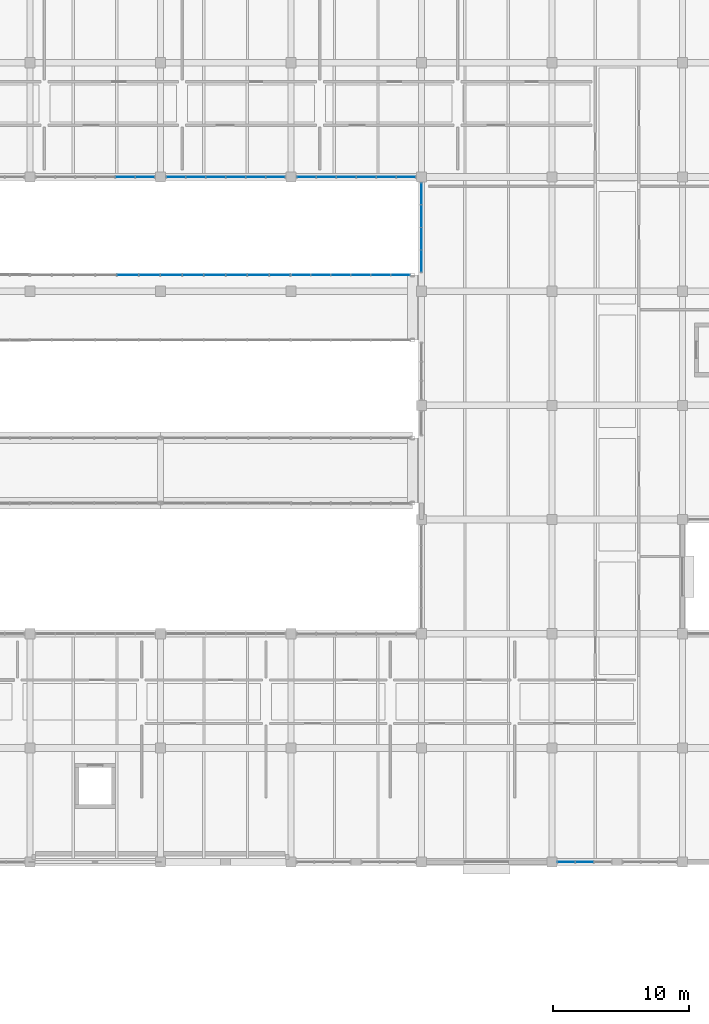
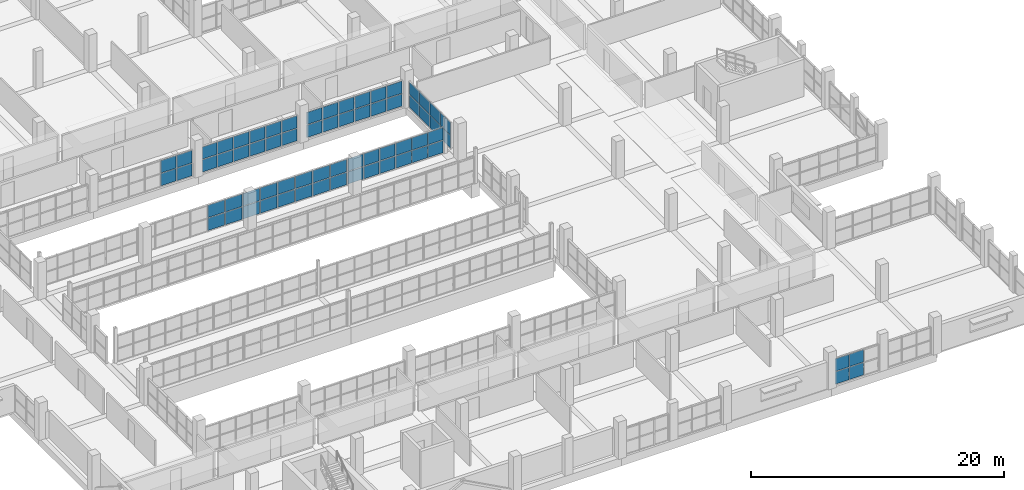
# One storey, part 103 of 147: 68 plates, 7 elements without a shape of their own.
"""IFC4 building model written with IfcOpenShell, lengths in metres."""

from ifc_helpers import new_model, si_unit, direction, frame, origin, origin_2d, place, context, subcontext, project, spatial, rectangle, extrude, material, layer, layer_set, type_object, element, aggregate, save


model = new_model("IFC4")

# Units and contexts
model_context = context("Model", 3, precision=1e-05, world=origin(), true_north=direction((0.0, 1.0)))
body_context = subcontext(model_context, "Body", "Model", "MODEL_VIEW")
ifc_project = project(units=[si_unit("LENGTHUNIT", "METRE"), si_unit("AREAUNIT", "SQUARE_METRE"), si_unit("VOLUMEUNIT", "CUBIC_METRE"), si_unit("PLANEANGLEUNIT", "RADIAN"), si_unit("MASSUNIT", "GRAM", prefix="KILO")], contexts=[model_context])

# Site, building, storey
site_placement = place(None, origin())
site = spatial("IfcSite", under=ifc_project, at=site_placement, CompositionType="ELEMENT")
building_placement = place(site_placement, origin())
building = spatial("IfcBuilding", under=site, at=building_placement, Name="Oolite Switchyard Hospital", CompositionType="ELEMENT")
storey_placement = place(building_placement, frame((0.0, 0.0, 9.89990234375)))
storey = spatial("IfcBuildingStorey", under=building, at=storey_placement, Name="L02", CompositionType="ELEMENT", Elevation=9.89990234375)

# Curtain wall, plates
ifc_material_1 = material(Name="Thermally broken aluminum frame with laminated impact glazing", Category="aluminium")
curtain_wall_type_1 = type_object("IfcCurtainWallType", Name="CW-UNIT-96X36", PredefinedType="USERDEFINED", material=ifc_material_1)
curtain_wall_1_placement = place(storey_placement, origin())
curtain_wall_1 = element("IfcCurtainWall", 1, at=curtain_wall_1_placement, inside=storey, type_object=curtain_wall_type_1, Name="L02 Unitised Curtain Wall 245", ObjectType="UNITISED", PredefinedType="USERDEFINED")
ifc_material_2 = material(Name="Insulated fluoropolymer-coated aluminum spandrel panel", Category="aluminium")
ifc_layer_1 = layer(ifc_material_2, 0.054931640625)
ifc_layer_set_1 = layer_set([ifc_layer_1], Name="CW-PNL-SPN55")
plate_type_1 = type_object("IfcPlateType", Name="CW-PNL-SPN55", PredefinedType="CURTAIN_PANEL", material=ifc_layer_set_1)
plate_1_placement = place(storey_placement, frame((181.257568359375, 58.800048828125, 0.0751953125), z_axis=(0.0, 0.0, 1.0), x_axis=(-1.0, 0.0, 0.0)))
plate_1 = element("IfcPlate", 2, at=plate_1_placement, type_object=plate_type_1, Name="CW-03 panel 1.1", PredefinedType="CURTAIN_PANEL", context=body_context, shape_type="SweptSolid", body=[
    extrude(rectangle(XDim=1.364990234375, YDim=0.054931640625, at=origin_2d()), origin(), (0.0, 0.0, 1.0), 1.172607421875),
])
plate_2_placement = place(storey_placement, frame((181.257568359375, 58.800048828125, 1.32275390625), z_axis=(0.0, 0.0, 1.0), x_axis=(-1.0, 0.0, 0.0)))
plate_2 = element("IfcPlate", 3, at=plate_2_placement, type_object=plate_type_1, Name="CW-03 panel 1.2", PredefinedType="CURTAIN_PANEL", context=body_context, shape_type="SweptSolid", body=[
    extrude(rectangle(XDim=1.364990234375, YDim=0.054931640625, at=origin_2d()), origin(), (0.0, 0.0, 1.0), 1.172607421875),
])
plate_3_placement = place(storey_placement, frame((179.804931640625, 58.800048828125, 0.0751953125), z_axis=(0.0, 0.0, 1.0), x_axis=(-1.0, 0.0, 0.0)))
plate_3 = element("IfcPlate", 4, at=plate_3_placement, type_object=plate_type_1, Name="CW-03 panel 2.1", PredefinedType="CURTAIN_PANEL", context=body_context, shape_type="SweptSolid", body=[
    extrude(rectangle(XDim=1.39990234375, YDim=0.054931640625, at=origin_2d()), origin(), (0.0, 0.0, 1.0), 1.172607421875),
])
plate_4_placement = place(storey_placement, frame((179.804931640625, 58.800048828125, 1.32275390625), z_axis=(0.0, 0.0, 1.0), x_axis=(-1.0, 0.0, 0.0)))
plate_4 = element("IfcPlate", 5, at=plate_4_placement, type_object=plate_type_1, Name="CW-03 panel 2.2", PredefinedType="CURTAIN_PANEL", context=body_context, shape_type="SweptSolid", body=[
    extrude(rectangle(XDim=1.39990234375, YDim=0.054931640625, at=origin_2d()), origin(), (0.0, 0.0, 1.0), 1.172607421875),
])
plate_5_placement = place(storey_placement, frame((178.3349609375, 58.800048828125, 0.0751953125), z_axis=(0.0, 0.0, 1.0), x_axis=(-1.0, 0.0, 0.0)))
plate_5 = element("IfcPlate", 6, at=plate_5_placement, type_object=plate_type_1, Name="CW-03 panel 3.1", PredefinedType="CURTAIN_PANEL", context=body_context, shape_type="SweptSolid", body=[
    extrude(rectangle(XDim=1.39990234375, YDim=0.054931640625, at=origin_2d()), origin(), (0.0, 0.0, 1.0), 1.172607421875),
])
plate_6_placement = place(storey_placement, frame((178.3349609375, 58.800048828125, 1.32275390625), z_axis=(0.0, 0.0, 1.0), x_axis=(-1.0, 0.0, 0.0)))
plate_6 = element("IfcPlate", 7, at=plate_6_placement, type_object=plate_type_1, Name="CW-03 panel 3.2", PredefinedType="CURTAIN_PANEL", context=body_context, shape_type="SweptSolid", body=[
    extrude(rectangle(XDim=1.39990234375, YDim=0.054931640625, at=origin_2d()), origin(), (0.0, 0.0, 1.0), 1.172607421875),
])
plate_7_placement = place(storey_placement, frame((176.864990234375, 58.800048828125, 0.0751953125), z_axis=(0.0, 0.0, 1.0), x_axis=(-1.0, 0.0, 0.0)))
plate_7 = element("IfcPlate", 8, at=plate_7_placement, type_object=plate_type_1, Name="CW-03 panel 4.1", PredefinedType="CURTAIN_PANEL", context=body_context, shape_type="SweptSolid", body=[
    extrude(rectangle(XDim=1.39990234375, YDim=0.054931640625, at=origin_2d()), origin(), (0.0, 0.0, 1.0), 1.172607421875),
])
plate_8_placement = place(storey_placement, frame((176.864990234375, 58.800048828125, 1.32275390625), z_axis=(0.0, 0.0, 1.0), x_axis=(-1.0, 0.0, 0.0)))
plate_8 = element("IfcPlate", 9, at=plate_8_placement, type_object=plate_type_1, Name="CW-03 panel 4.2", PredefinedType="CURTAIN_PANEL", context=body_context, shape_type="SweptSolid", body=[
    extrude(rectangle(XDim=1.39990234375, YDim=0.054931640625, at=origin_2d()), origin(), (0.0, 0.0, 1.0), 1.172607421875),
])
plate_9_placement = place(storey_placement, frame((175.39501953125, 58.800048828125, 0.0751953125), z_axis=(0.0, 0.0, 1.0), x_axis=(-1.0, 0.0, 0.0)))
plate_9 = element("IfcPlate", 10, at=plate_9_placement, type_object=plate_type_1, Name="CW-03 panel 5.1", PredefinedType="CURTAIN_PANEL", context=body_context, shape_type="SweptSolid", body=[
    extrude(rectangle(XDim=1.39990234375, YDim=0.054931640625, at=origin_2d()), origin(), (0.0, 0.0, 1.0), 1.172607421875),
])
plate_10_placement = place(storey_placement, frame((175.39501953125, 58.800048828125, 1.32275390625), z_axis=(0.0, 0.0, 1.0), x_axis=(-1.0, 0.0, 0.0)))
plate_10 = element("IfcPlate", 11, at=plate_10_placement, type_object=plate_type_1, Name="CW-03 panel 5.2", PredefinedType="CURTAIN_PANEL", context=body_context, shape_type="SweptSolid", body=[
    extrude(rectangle(XDim=1.39990234375, YDim=0.054931640625, at=origin_2d()), origin(), (0.0, 0.0, 1.0), 1.172607421875),
])
plate_11_placement = place(storey_placement, frame((173.9423828125, 58.800048828125, 0.0751953125), z_axis=(0.0, 0.0, 1.0), x_axis=(-1.0, 0.0, 0.0)))
plate_11 = element("IfcPlate", 12, at=plate_11_placement, type_object=plate_type_1, Name="CW-03 panel 6.1", PredefinedType="CURTAIN_PANEL", context=body_context, shape_type="SweptSolid", body=[
    extrude(rectangle(XDim=1.364990234375, YDim=0.054931640625, at=origin_2d()), origin(), (0.0, 0.0, 1.0), 1.172607421875),
])
plate_12_placement = place(storey_placement, frame((173.9423828125, 58.800048828125, 1.32275390625), z_axis=(0.0, 0.0, 1.0), x_axis=(-1.0, 0.0, 0.0)))
plate_12 = element("IfcPlate", 13, at=plate_12_placement, type_object=plate_type_1, Name="CW-03 panel 6.2", PredefinedType="CURTAIN_PANEL", context=body_context, shape_type="SweptSolid", body=[
    extrude(rectangle(XDim=1.364990234375, YDim=0.054931640625, at=origin_2d()), origin(), (0.0, 0.0, 1.0), 1.172607421875),
])
aggregate(curtain_wall_1, [plate_1, plate_2, plate_3, plate_4, plate_5, plate_6, plate_7, plate_8, plate_9, plate_10, plate_11, plate_12])

curtain_wall_type_2 = type_object("IfcCurtainWallType", Name="CW-BRG-96X38", PredefinedType="USERDEFINED", material=ifc_material_1)
curtain_wall_2_placement = place(storey_placement, origin())
curtain_wall_2 = element("IfcCurtainWall", 14, at=curtain_wall_2_placement, inside=storey, type_object=curtain_wall_type_2, Name="L02 Unitised Curtain Wall 240", ObjectType="UNITISED", PredefinedType="USERDEFINED")
ifc_material_3 = material(Name="Laminated hurricane-impact insulated glazing unit", Category="glass")
ifc_layer_2 = layer(ifc_material_3, 0.031982421875)
ifc_layer_set_2 = layer_set([ifc_layer_2], Name="CW-PNL-VIS32")
plate_type_2 = type_object("IfcPlateType", Name="CW-PNL-VIS32", PredefinedType="CURTAIN_PANEL", material=ifc_layer_set_2)
plate_13_placement = place(storey_placement, frame((160.800048828125, 51.60009765625, 0.06005859375), z_axis=(0.0, 0.0, 1.0), x_axis=(1.0, 0.0, 0.0)))
plate_13 = element("IfcPlate", 15, at=plate_13_placement, type_object=plate_type_2, Name="CW-12 panel 5.1", PredefinedType="CURTAIN_PANEL", context=body_context, shape_type="SweptSolid", body=[
    extrude(rectangle(XDim=1.52490234375, YDim=0.031982421875, at=origin_2d()), origin(), (0.0, 0.0, 1.0), 1.195068359375),
])
plate_14_placement = place(storey_placement, frame((160.800048828125, 51.60009765625, 1.31494140625), z_axis=(0.0, 0.0, 1.0), x_axis=(1.0, 0.0, 0.0)))
plate_14 = element("IfcPlate", 16, at=plate_14_placement, type_object=plate_type_2, Name="CW-12 panel 5.2", PredefinedType="CURTAIN_PANEL", context=body_context, shape_type="SweptSolid", body=[
    extrude(rectangle(XDim=1.52490234375, YDim=0.031982421875, at=origin_2d()), origin(), (0.0, 0.0, 1.0), 1.195068359375),
])
plate_15_placement = place(storey_placement, frame((162.39990234375, 51.60009765625, 0.06005859375), z_axis=(0.0, 0.0, 1.0), x_axis=(1.0, 0.0, 0.0)))
plate_15 = element("IfcPlate", 17, at=plate_15_placement, type_object=plate_type_2, Name="CW-12 panel 6.1", PredefinedType="CURTAIN_PANEL", context=body_context, shape_type="SweptSolid", body=[
    extrude(rectangle(XDim=1.52490234375, YDim=0.031982421875, at=origin_2d()), origin(), (0.0, 0.0, 1.0), 1.195068359375),
])
plate_16_placement = place(storey_placement, frame((162.39990234375, 51.60009765625, 1.31494140625), z_axis=(0.0, 0.0, 1.0), x_axis=(1.0, 0.0, 0.0)))
plate_16 = element("IfcPlate", 18, at=plate_16_placement, type_object=plate_type_2, Name="CW-12 panel 6.2", PredefinedType="CURTAIN_PANEL", context=body_context, shape_type="SweptSolid", body=[
    extrude(rectangle(XDim=1.52490234375, YDim=0.031982421875, at=origin_2d()), origin(), (0.0, 0.0, 1.0), 1.195068359375),
])
plate_17_placement = place(storey_placement, frame((164.0, 51.60009765625, 0.06005859375), z_axis=(0.0, 0.0, 1.0), x_axis=(1.0, 0.0, 0.0)))
plate_17 = element("IfcPlate", 19, at=plate_17_placement, type_object=plate_type_2, Name="CW-12 panel 7.1", PredefinedType="CURTAIN_PANEL", context=body_context, shape_type="SweptSolid", body=[
    extrude(rectangle(XDim=1.52490234375, YDim=0.031982421875, at=origin_2d()), origin(), (0.0, 0.0, 1.0), 1.195068359375),
])
plate_18_placement = place(storey_placement, frame((164.0, 51.60009765625, 1.31494140625), z_axis=(0.0, 0.0, 1.0), x_axis=(1.0, 0.0, 0.0)))
plate_18 = element("IfcPlate", 20, at=plate_18_placement, type_object=plate_type_2, Name="CW-12 panel 7.2", PredefinedType="CURTAIN_PANEL", context=body_context, shape_type="SweptSolid", body=[
    extrude(rectangle(XDim=1.52490234375, YDim=0.031982421875, at=origin_2d()), origin(), (0.0, 0.0, 1.0), 1.195068359375),
])
plate_19_placement = place(storey_placement, frame((165.60009765625, 51.60009765625, 0.06005859375), z_axis=(0.0, 0.0, 1.0), x_axis=(1.0, 0.0, 0.0)))
plate_19 = element("IfcPlate", 21, at=plate_19_placement, type_object=plate_type_2, Name="CW-12 panel 8.1", PredefinedType="CURTAIN_PANEL", context=body_context, shape_type="SweptSolid", body=[
    extrude(rectangle(XDim=1.52490234375, YDim=0.031982421875, at=origin_2d()), origin(), (0.0, 0.0, 1.0), 1.195068359375),
])
plate_20_placement = place(storey_placement, frame((165.60009765625, 51.60009765625, 1.31494140625), z_axis=(0.0, 0.0, 1.0), x_axis=(1.0, 0.0, 0.0)))
plate_20 = element("IfcPlate", 22, at=plate_20_placement, type_object=plate_type_2, Name="CW-12 panel 8.2", PredefinedType="CURTAIN_PANEL", context=body_context, shape_type="SweptSolid", body=[
    extrude(rectangle(XDim=1.52490234375, YDim=0.031982421875, at=origin_2d()), origin(), (0.0, 0.0, 1.0), 1.195068359375),
])
plate_21_placement = place(storey_placement, frame((167.199951171875, 51.60009765625, 0.06005859375), z_axis=(0.0, 0.0, 1.0), x_axis=(1.0, 0.0, 0.0)))
plate_21 = element("IfcPlate", 23, at=plate_21_placement, type_object=plate_type_2, Name="CW-12 panel 9.1", PredefinedType="CURTAIN_PANEL", context=body_context, shape_type="SweptSolid", body=[
    extrude(rectangle(XDim=1.52490234375, YDim=0.031982421875, at=origin_2d()), origin(), (0.0, 0.0, 1.0), 1.195068359375),
])
plate_22_placement = place(storey_placement, frame((167.199951171875, 51.60009765625, 1.31494140625), z_axis=(0.0, 0.0, 1.0), x_axis=(1.0, 0.0, 0.0)))
plate_22 = element("IfcPlate", 24, at=plate_22_placement, type_object=plate_type_2, Name="CW-12 panel 9.2", PredefinedType="CURTAIN_PANEL", context=body_context, shape_type="SweptSolid", body=[
    extrude(rectangle(XDim=1.52490234375, YDim=0.031982421875, at=origin_2d()), origin(), (0.0, 0.0, 1.0), 1.195068359375),
])
plate_23_placement = place(storey_placement, frame((168.800048828125, 51.60009765625, 0.06005859375), z_axis=(0.0, 0.0, 1.0), x_axis=(1.0, 0.0, 0.0)))
plate_23 = element("IfcPlate", 25, at=plate_23_placement, type_object=plate_type_2, Name="CW-12 panel 10.1", PredefinedType="CURTAIN_PANEL", context=body_context, shape_type="SweptSolid", body=[
    extrude(rectangle(XDim=1.52490234375, YDim=0.031982421875, at=origin_2d()), origin(), (0.0, 0.0, 1.0), 1.195068359375),
])
plate_24_placement = place(storey_placement, frame((168.800048828125, 51.60009765625, 1.31494140625), z_axis=(0.0, 0.0, 1.0), x_axis=(1.0, 0.0, 0.0)))
plate_24 = element("IfcPlate", 26, at=plate_24_placement, type_object=plate_type_2, Name="CW-12 panel 10.2", PredefinedType="CURTAIN_PANEL", context=body_context, shape_type="SweptSolid", body=[
    extrude(rectangle(XDim=1.52490234375, YDim=0.031982421875, at=origin_2d()), origin(), (0.0, 0.0, 1.0), 1.195068359375),
])
plate_25_placement = place(storey_placement, frame((170.39990234375, 51.60009765625, 0.06005859375), z_axis=(0.0, 0.0, 1.0), x_axis=(1.0, 0.0, 0.0)))
plate_25 = element("IfcPlate", 27, at=plate_25_placement, type_object=plate_type_2, Name="CW-12 panel 11.1", PredefinedType="CURTAIN_PANEL", context=body_context, shape_type="SweptSolid", body=[
    extrude(rectangle(XDim=1.52490234375, YDim=0.031982421875, at=origin_2d()), origin(), (0.0, 0.0, 1.0), 1.195068359375),
])
plate_26_placement = place(storey_placement, frame((170.39990234375, 51.60009765625, 1.31494140625), z_axis=(0.0, 0.0, 1.0), x_axis=(1.0, 0.0, 0.0)))
plate_26 = element("IfcPlate", 28, at=plate_26_placement, type_object=plate_type_2, Name="CW-12 panel 11.2", PredefinedType="CURTAIN_PANEL", context=body_context, shape_type="SweptSolid", body=[
    extrude(rectangle(XDim=1.52490234375, YDim=0.031982421875, at=origin_2d()), origin(), (0.0, 0.0, 1.0), 1.195068359375),
])
plate_27_placement = place(storey_placement, frame((171.981201171875, 51.60009765625, 0.06005859375), z_axis=(0.0, 0.0, 1.0), x_axis=(1.0, 0.0, 0.0)))
plate_27 = element("IfcPlate", 29, at=plate_27_placement, type_object=plate_type_2, Name="CW-12 panel 12.1", PredefinedType="CURTAIN_PANEL", context=body_context, shape_type="SweptSolid", body=[
    extrude(rectangle(XDim=1.487548828125, YDim=0.031982421875, at=origin_2d()), origin(), (0.0, 0.0, 1.0), 1.195068359375),
])
plate_28_placement = place(storey_placement, frame((171.981201171875, 51.60009765625, 1.31494140625), z_axis=(0.0, 0.0, 1.0), x_axis=(1.0, 0.0, 0.0)))
plate_28 = element("IfcPlate", 30, at=plate_28_placement, type_object=plate_type_2, Name="CW-12 panel 12.2", PredefinedType="CURTAIN_PANEL", context=body_context, shape_type="SweptSolid", body=[
    extrude(rectangle(XDim=1.487548828125, YDim=0.031982421875, at=origin_2d()), origin(), (0.0, 0.0, 1.0), 1.195068359375),
])
aggregate(curtain_wall_2, [plate_13, plate_14, plate_15, plate_16, plate_17, plate_18, plate_19, plate_20, plate_21, plate_22, plate_23, plate_24, plate_25, plate_26, plate_27, plate_28])

curtain_wall_3_placement = place(storey_placement, origin())
curtain_wall_3 = element("IfcCurtainWall", 31, at=curtain_wall_3_placement, inside=storey, type_object=curtain_wall_type_1, Name="L02 Unitised Curtain Wall 243", ObjectType="UNITISED", PredefinedType="USERDEFINED")
plate_29_placement = place(storey_placement, frame((171.65625, 58.800048828125, 0.0751953125), z_axis=(0.0, 0.0, 1.0), x_axis=(-1.0, 0.0, 0.0)))
plate_29 = element("IfcPlate", 32, at=plate_29_placement, type_object=plate_type_2, Name="CW-03 panel 1.1", PredefinedType="CURTAIN_PANEL", context=body_context, shape_type="SweptSolid", body=[
    extrude(rectangle(XDim=1.357421875, YDim=0.031982421875, at=origin_2d()), origin(), (0.0, 0.0, 1.0), 1.172607421875),
])
plate_30_placement = place(storey_placement, frame((171.65625, 58.800048828125, 1.32275390625), z_axis=(0.0, 0.0, 1.0), x_axis=(-1.0, 0.0, 0.0)))
plate_30 = element("IfcPlate", 33, at=plate_30_placement, type_object=plate_type_2, Name="CW-03 panel 1.2", PredefinedType="CURTAIN_PANEL", context=body_context, shape_type="SweptSolid", body=[
    extrude(rectangle(XDim=1.357421875, YDim=0.031982421875, at=origin_2d()), origin(), (0.0, 0.0, 1.0), 1.172607421875),
])
plate_31_placement = place(storey_placement, frame((170.205078125, 58.800048828125, 0.0751953125), z_axis=(0.0, 0.0, 1.0), x_axis=(-1.0, 0.0, 0.0)))
plate_31 = element("IfcPlate", 34, at=plate_31_placement, type_object=plate_type_2, Name="CW-03 panel 2.1", PredefinedType="CURTAIN_PANEL", context=body_context, shape_type="SweptSolid", body=[
    extrude(rectangle(XDim=1.39501953125, YDim=0.031982421875, at=origin_2d()), origin(), (0.0, 0.0, 1.0), 1.172607421875),
])
plate_32_placement = place(storey_placement, frame((170.205078125, 58.800048828125, 1.32275390625), z_axis=(0.0, 0.0, 1.0), x_axis=(-1.0, 0.0, 0.0)))
plate_32 = element("IfcPlate", 35, at=plate_32_placement, type_object=plate_type_2, Name="CW-03 panel 2.2", PredefinedType="CURTAIN_PANEL", context=body_context, shape_type="SweptSolid", body=[
    extrude(rectangle(XDim=1.39501953125, YDim=0.031982421875, at=origin_2d()), origin(), (0.0, 0.0, 1.0), 1.172607421875),
])
plate_33_placement = place(storey_placement, frame((168.735107421875, 58.800048828125, 0.0751953125), z_axis=(0.0, 0.0, 1.0), x_axis=(-1.0, 0.0, 0.0)))
plate_33 = element("IfcPlate", 36, at=plate_33_placement, type_object=plate_type_2, Name="CW-03 panel 3.1", PredefinedType="CURTAIN_PANEL", context=body_context, shape_type="SweptSolid", body=[
    extrude(rectangle(XDim=1.39501953125, YDim=0.031982421875, at=origin_2d()), origin(), (0.0, 0.0, 1.0), 1.172607421875),
])
plate_34_placement = place(storey_placement, frame((168.735107421875, 58.800048828125, 1.32275390625), z_axis=(0.0, 0.0, 1.0), x_axis=(-1.0, 0.0, 0.0)))
plate_34 = element("IfcPlate", 37, at=plate_34_placement, type_object=plate_type_2, Name="CW-03 panel 3.2", PredefinedType="CURTAIN_PANEL", context=body_context, shape_type="SweptSolid", body=[
    extrude(rectangle(XDim=1.39501953125, YDim=0.031982421875, at=origin_2d()), origin(), (0.0, 0.0, 1.0), 1.172607421875),
])
plate_35_placement = place(storey_placement, frame((167.264892578125, 58.800048828125, 0.0751953125), z_axis=(0.0, 0.0, 1.0), x_axis=(-1.0, 0.0, 0.0)))
plate_35 = element("IfcPlate", 38, at=plate_35_placement, type_object=plate_type_2, Name="CW-03 panel 4.1", PredefinedType="CURTAIN_PANEL", context=body_context, shape_type="SweptSolid", body=[
    extrude(rectangle(XDim=1.39501953125, YDim=0.031982421875, at=origin_2d()), origin(), (0.0, 0.0, 1.0), 1.172607421875),
])
plate_36_placement = place(storey_placement, frame((167.264892578125, 58.800048828125, 1.32275390625), z_axis=(0.0, 0.0, 1.0), x_axis=(-1.0, 0.0, 0.0)))
plate_36 = element("IfcPlate", 39, at=plate_36_placement, type_object=plate_type_2, Name="CW-03 panel 4.2", PredefinedType="CURTAIN_PANEL", context=body_context, shape_type="SweptSolid", body=[
    extrude(rectangle(XDim=1.39501953125, YDim=0.031982421875, at=origin_2d()), origin(), (0.0, 0.0, 1.0), 1.172607421875),
])
plate_37_placement = place(storey_placement, frame((165.794921875, 58.800048828125, 0.0751953125), z_axis=(0.0, 0.0, 1.0), x_axis=(-1.0, 0.0, 0.0)))
plate_37 = element("IfcPlate", 40, at=plate_37_placement, type_object=plate_type_2, Name="CW-03 panel 5.1", PredefinedType="CURTAIN_PANEL", context=body_context, shape_type="SweptSolid", body=[
    extrude(rectangle(XDim=1.39501953125, YDim=0.031982421875, at=origin_2d()), origin(), (0.0, 0.0, 1.0), 1.172607421875),
])
plate_38_placement = place(storey_placement, frame((165.794921875, 58.800048828125, 1.32275390625), z_axis=(0.0, 0.0, 1.0), x_axis=(-1.0, 0.0, 0.0)))
plate_38 = element("IfcPlate", 41, at=plate_38_placement, type_object=plate_type_2, Name="CW-03 panel 5.2", PredefinedType="CURTAIN_PANEL", context=body_context, shape_type="SweptSolid", body=[
    extrude(rectangle(XDim=1.39501953125, YDim=0.031982421875, at=origin_2d()), origin(), (0.0, 0.0, 1.0), 1.172607421875),
])
plate_39_placement = place(storey_placement, frame((164.34375, 58.800048828125, 0.0751953125), z_axis=(0.0, 0.0, 1.0), x_axis=(-1.0, 0.0, 0.0)))
plate_39 = element("IfcPlate", 42, at=plate_39_placement, type_object=plate_type_2, Name="CW-03 panel 6.1", PredefinedType="CURTAIN_PANEL", context=body_context, shape_type="SweptSolid", body=[
    extrude(rectangle(XDim=1.357421875, YDim=0.031982421875, at=origin_2d()), origin(), (0.0, 0.0, 1.0), 1.172607421875),
])
plate_40_placement = place(storey_placement, frame((164.34375, 58.800048828125, 1.32275390625), z_axis=(0.0, 0.0, 1.0), x_axis=(-1.0, 0.0, 0.0)))
plate_40 = element("IfcPlate", 43, at=plate_40_placement, type_object=plate_type_2, Name="CW-03 panel 6.2", PredefinedType="CURTAIN_PANEL", context=body_context, shape_type="SweptSolid", body=[
    extrude(rectangle(XDim=1.357421875, YDim=0.031982421875, at=origin_2d()), origin(), (0.0, 0.0, 1.0), 1.172607421875),
])
aggregate(curtain_wall_3, [plate_29, plate_30, plate_31, plate_32, plate_33, plate_34, plate_35, plate_36, plate_37, plate_38, plate_39, plate_40])

curtain_wall_type_3 = type_object("IfcCurtainWallType", Name="CW-UNIT-84X36", PredefinedType="USERDEFINED", material=ifc_material_1)
curtain_wall_4_placement = place(storey_placement, origin())
curtain_wall_4 = element("IfcCurtainWall", 44, at=curtain_wall_4_placement, inside=storey, type_object=curtain_wall_type_3, Name="L02 Unitised Curtain Wall 214", ObjectType="UNITISED", PredefinedType="USERDEFINED")
ifc_layer_3 = layer(ifc_material_3, 0.035888671875)
ifc_layer_set_3 = layer_set([ifc_layer_3], Name="CW-PNL-VIS36")
plate_type_3 = type_object("IfcPlateType", Name="CW-PNL-VIS36", PredefinedType="CURTAIN_PANEL", material=ifc_layer_set_3)
plate_41_placement = place(storey_placement, frame((194.39990234375, 8.39990234375, 0.06005859375), z_axis=(0.0, 0.0, 1.0), x_axis=(-1.0, 0.0, 0.0)))
plate_41 = element("IfcPlate", 45, at=plate_41_placement, type_object=plate_type_3, Name="CW-08 panel 2.1", PredefinedType="CURTAIN_PANEL", context=body_context, shape_type="SweptSolid", body=[
    extrude(rectangle(XDim=1.280029296875, YDim=0.035888671875, at=origin_2d()), origin(), (0.0, 0.0, 1.0), 1.195068359375),
])
plate_42_placement = place(storey_placement, frame((194.39990234375, 8.39990234375, 1.31494140625), z_axis=(0.0, 0.0, 1.0), x_axis=(-1.0, 0.0, 0.0)))
plate_42 = element("IfcPlate", 46, at=plate_42_placement, type_object=plate_type_3, Name="CW-08 panel 2.2", PredefinedType="CURTAIN_PANEL", context=body_context, shape_type="SweptSolid", body=[
    extrude(rectangle(XDim=1.280029296875, YDim=0.035888671875, at=origin_2d()), origin(), (0.0, 0.0, 1.0), 1.195068359375),
])
plate_43_placement = place(storey_placement, frame((193.074951171875, 8.39990234375, 0.06005859375), z_axis=(0.0, 0.0, 1.0), x_axis=(-1.0, 0.0, 0.0)))
plate_43 = element("IfcPlate", 47, at=plate_43_placement, type_object=plate_type_3, Name="CW-08 panel 3.1", PredefinedType="CURTAIN_PANEL", context=body_context, shape_type="SweptSolid", body=[
    extrude(rectangle(XDim=1.25, YDim=0.035888671875, at=origin_2d()), origin(), (0.0, 0.0, 1.0), 1.195068359375),
])
plate_44_placement = place(storey_placement, frame((193.074951171875, 8.39990234375, 1.31494140625), z_axis=(0.0, 0.0, 1.0), x_axis=(-1.0, 0.0, 0.0)))
plate_44 = element("IfcPlate", 48, at=plate_44_placement, type_object=plate_type_3, Name="CW-08 panel 3.2", PredefinedType="CURTAIN_PANEL", context=body_context, shape_type="SweptSolid", body=[
    extrude(rectangle(XDim=1.25, YDim=0.035888671875, at=origin_2d()), origin(), (0.0, 0.0, 1.0), 1.195068359375),
])
aggregate(curtain_wall_4, [plate_41, plate_42, plate_43, plate_44])

curtain_wall_5_placement = place(storey_placement, origin())
curtain_wall_5 = element("IfcCurtainWall", 49, at=curtain_wall_5_placement, inside=storey, type_object=curtain_wall_type_1, Name="L02 Unitised Curtain Wall 244", ObjectType="UNITISED", PredefinedType="USERDEFINED")
plate_45_placement = place(storey_placement, frame((162.06005859375, 58.800048828125, 0.06005859375), z_axis=(0.0, 0.0, 1.0), x_axis=(-1.0, 0.0, 0.0)))
plate_45 = element("IfcPlate", 50, at=plate_45_placement, type_object=plate_type_3, Name="CW-03 panel 1.1", PredefinedType="CURTAIN_PANEL", context=body_context, shape_type="SweptSolid", body=[
    extrude(rectangle(XDim=1.3798828125, YDim=0.035888671875, at=origin_2d()), origin(), (0.0, 0.0, 1.0), 1.195068359375),
])
plate_46_placement = place(storey_placement, frame((162.06005859375, 58.800048828125, 1.31494140625), z_axis=(0.0, 0.0, 1.0), x_axis=(-1.0, 0.0, 0.0)))
plate_46 = element("IfcPlate", 51, at=plate_46_placement, type_object=plate_type_3, Name="CW-03 panel 1.2", PredefinedType="CURTAIN_PANEL", context=body_context, shape_type="SweptSolid", body=[
    extrude(rectangle(XDim=1.3798828125, YDim=0.035888671875, at=origin_2d()), origin(), (0.0, 0.0, 1.0), 1.195068359375),
])
plate_47_placement = place(storey_placement, frame((160.60498046875, 58.800048828125, 0.06005859375), z_axis=(0.0, 0.0, 1.0), x_axis=(-1.0, 0.0, 0.0)))
plate_47 = element("IfcPlate", 52, at=plate_47_placement, type_object=plate_type_3, Name="CW-03 panel 2.1", PredefinedType="CURTAIN_PANEL", context=body_context, shape_type="SweptSolid", body=[
    extrude(rectangle(XDim=1.409912109375, YDim=0.035888671875, at=origin_2d()), origin(), (0.0, 0.0, 1.0), 1.195068359375),
])
plate_48_placement = place(storey_placement, frame((160.60498046875, 58.800048828125, 1.31494140625), z_axis=(0.0, 0.0, 1.0), x_axis=(-1.0, 0.0, 0.0)))
plate_48 = element("IfcPlate", 53, at=plate_48_placement, type_object=plate_type_3, Name="CW-03 panel 2.2", PredefinedType="CURTAIN_PANEL", context=body_context, shape_type="SweptSolid", body=[
    extrude(rectangle(XDim=1.409912109375, YDim=0.035888671875, at=origin_2d()), origin(), (0.0, 0.0, 1.0), 1.195068359375),
])
aggregate(curtain_wall_5, [plate_45, plate_46, plate_47, plate_48])

curtain_wall_6_placement = place(storey_placement, origin())
curtain_wall_6 = element("IfcCurtainWall", 54, at=curtain_wall_6_placement, inside=storey, type_object=curtain_wall_type_2, Name="L02 Unitised Curtain Wall 310", ObjectType="UNITISED", PredefinedType="USERDEFINED")
plate_49_placement = place(storey_placement, frame((182.39990234375, 52.606201171875, 0.06005859375), z_axis=(0.0, 0.0, 1.0), x_axis=(0.0, 1.0, 0.0)))
plate_49 = element("IfcPlate", 55, at=plate_49_placement, type_object=plate_type_3, Name="CW-12 panel 1.1", PredefinedType="CURTAIN_PANEL", context=body_context, shape_type="SweptSolid", body=[
    extrude(rectangle(XDim=1.572509765625, YDim=0.035888671875, at=origin_2d()), origin(), (0.0, 0.0, 1.0), 1.195068359375),
])
plate_50_placement = place(storey_placement, frame((182.39990234375, 52.606201171875, 1.31494140625), z_axis=(0.0, 0.0, 1.0), x_axis=(0.0, 1.0, 0.0)))
plate_50 = element("IfcPlate", 56, at=plate_50_placement, type_object=plate_type_3, Name="CW-12 panel 1.2", PredefinedType="CURTAIN_PANEL", context=body_context, shape_type="SweptSolid", body=[
    extrude(rectangle(XDim=1.572509765625, YDim=0.035888671875, at=origin_2d()), origin(), (0.0, 0.0, 1.0), 1.195068359375),
])
plate_51_placement = place(storey_placement, frame((182.39990234375, 54.253662109375, 0.06005859375), z_axis=(0.0, 0.0, 1.0), x_axis=(0.0, 1.0, 0.0)))
plate_51 = element("IfcPlate", 57, at=plate_51_placement, type_object=plate_type_3, Name="CW-12 panel 2.1", PredefinedType="CURTAIN_PANEL", context=body_context, shape_type="SweptSolid", body=[
    extrude(rectangle(XDim=1.6025390625, YDim=0.035888671875, at=origin_2d()), origin(), (0.0, 0.0, 1.0), 1.195068359375),
])
plate_52_placement = place(storey_placement, frame((182.39990234375, 54.253662109375, 1.31494140625), z_axis=(0.0, 0.0, 1.0), x_axis=(0.0, 1.0, 0.0)))
plate_52 = element("IfcPlate", 58, at=plate_52_placement, type_object=plate_type_3, Name="CW-12 panel 2.2", PredefinedType="CURTAIN_PANEL", context=body_context, shape_type="SweptSolid", body=[
    extrude(rectangle(XDim=1.6025390625, YDim=0.035888671875, at=origin_2d()), origin(), (0.0, 0.0, 1.0), 1.195068359375),
])
plate_53_placement = place(storey_placement, frame((182.39990234375, 55.916259765625, 0.06005859375), z_axis=(0.0, 0.0, 1.0), x_axis=(0.0, 1.0, 0.0)))
plate_53 = element("IfcPlate", 59, at=plate_53_placement, type_object=plate_type_3, Name="CW-12 panel 3.1", PredefinedType="CURTAIN_PANEL", context=body_context, shape_type="SweptSolid", body=[
    extrude(rectangle(XDim=1.6025390625, YDim=0.035888671875, at=origin_2d()), origin(), (0.0, 0.0, 1.0), 1.195068359375),
])
plate_54_placement = place(storey_placement, frame((182.39990234375, 55.916259765625, 1.31494140625), z_axis=(0.0, 0.0, 1.0), x_axis=(0.0, 1.0, 0.0)))
plate_54 = element("IfcPlate", 60, at=plate_54_placement, type_object=plate_type_3, Name="CW-12 panel 3.2", PredefinedType="CURTAIN_PANEL", context=body_context, shape_type="SweptSolid", body=[
    extrude(rectangle(XDim=1.6025390625, YDim=0.035888671875, at=origin_2d()), origin(), (0.0, 0.0, 1.0), 1.195068359375),
])
plate_55_placement = place(storey_placement, frame((182.39990234375, 57.563720703125, 0.06005859375), z_axis=(0.0, 0.0, 1.0), x_axis=(0.0, 1.0, 0.0)))
plate_55 = element("IfcPlate", 61, at=plate_55_placement, type_object=plate_type_3, Name="CW-12 panel 4.1", PredefinedType="CURTAIN_PANEL", context=body_context, shape_type="SweptSolid", body=[
    extrude(rectangle(XDim=1.572509765625, YDim=0.035888671875, at=origin_2d()), origin(), (0.0, 0.0, 1.0), 1.195068359375),
])
plate_56_placement = place(storey_placement, frame((182.39990234375, 57.563720703125, 1.31494140625), z_axis=(0.0, 0.0, 1.0), x_axis=(0.0, 1.0, 0.0)))
plate_56 = element("IfcPlate", 62, at=plate_56_placement, type_object=plate_type_3, Name="CW-12 panel 4.2", PredefinedType="CURTAIN_PANEL", context=body_context, shape_type="SweptSolid", body=[
    extrude(rectangle(XDim=1.572509765625, YDim=0.035888671875, at=origin_2d()), origin(), (0.0, 0.0, 1.0), 1.195068359375),
])
aggregate(curtain_wall_6, [plate_49, plate_50, plate_51, plate_52, plate_53, plate_54, plate_55, plate_56])

curtain_wall_7_placement = place(storey_placement, origin())
curtain_wall_7 = element("IfcCurtainWall", 63, at=curtain_wall_7_placement, inside=storey, type_object=curtain_wall_type_2, Name="L02 Unitised Curtain Wall 241", ObjectType="UNITISED", PredefinedType="USERDEFINED")
ifc_layer_4 = layer(ifc_material_3, 0.0419921875)
ifc_layer_set_4 = layer_set([ifc_layer_4], Name="CW-PNL-VIS42")
plate_type_4 = type_object("IfcPlateType", Name="CW-PNL-VIS42", PredefinedType="CURTAIN_PANEL", material=ifc_layer_set_4)
plate_57_placement = place(storey_placement, frame((173.549072265625, 51.60009765625, 0.0751953125), z_axis=(0.0, 0.0, 1.0), x_axis=(1.0, 0.0, 0.0)))
plate_57 = element("IfcPlate", 64, at=plate_57_placement, type_object=plate_type_4, Name="CW-12 panel 1.1", PredefinedType="CURTAIN_PANEL", context=body_context, shape_type="SweptSolid", body=[
    extrude(rectangle(XDim=1.3779296875, YDim=0.0419921875, at=origin_2d()), origin(), (0.0, 0.0, 1.0), 1.172607421875),
])
plate_58_placement = place(storey_placement, frame((173.549072265625, 51.60009765625, 1.32275390625), z_axis=(0.0, 0.0, 1.0), x_axis=(1.0, 0.0, 0.0)))
plate_58 = element("IfcPlate", 65, at=plate_58_placement, type_object=plate_type_4, Name="CW-12 panel 1.2", PredefinedType="CURTAIN_PANEL", context=body_context, shape_type="SweptSolid", body=[
    extrude(rectangle(XDim=1.3779296875, YDim=0.0419921875, at=origin_2d()), origin(), (0.0, 0.0, 1.0), 1.172607421875),
])
plate_59_placement = place(storey_placement, frame((175.001953125, 51.60009765625, 0.0751953125), z_axis=(0.0, 0.0, 1.0), x_axis=(1.0, 0.0, 0.0)))
plate_59 = element("IfcPlate", 66, at=plate_59_placement, type_object=plate_type_4, Name="CW-12 panel 2.1", PredefinedType="CURTAIN_PANEL", context=body_context, shape_type="SweptSolid", body=[
    extrude(rectangle(XDim=1.407958984375, YDim=0.0419921875, at=origin_2d()), origin(), (0.0, 0.0, 1.0), 1.172607421875),
])
plate_60_placement = place(storey_placement, frame((175.001953125, 51.60009765625, 1.32275390625), z_axis=(0.0, 0.0, 1.0), x_axis=(1.0, 0.0, 0.0)))
plate_60 = element("IfcPlate", 67, at=plate_60_placement, type_object=plate_type_4, Name="CW-12 panel 2.2", PredefinedType="CURTAIN_PANEL", context=body_context, shape_type="SweptSolid", body=[
    extrude(rectangle(XDim=1.407958984375, YDim=0.0419921875, at=origin_2d()), origin(), (0.0, 0.0, 1.0), 1.172607421875),
])
plate_61_placement = place(storey_placement, frame((176.469970703125, 51.60009765625, 0.0751953125), z_axis=(0.0, 0.0, 1.0), x_axis=(1.0, 0.0, 0.0)))
plate_61 = element("IfcPlate", 68, at=plate_61_placement, type_object=plate_type_4, Name="CW-12 panel 3.1", PredefinedType="CURTAIN_PANEL", context=body_context, shape_type="SweptSolid", body=[
    extrude(rectangle(XDim=1.407958984375, YDim=0.0419921875, at=origin_2d()), origin(), (0.0, 0.0, 1.0), 1.172607421875),
])
plate_62_placement = place(storey_placement, frame((176.469970703125, 51.60009765625, 1.32275390625), z_axis=(0.0, 0.0, 1.0), x_axis=(1.0, 0.0, 0.0)))
plate_62 = element("IfcPlate", 69, at=plate_62_placement, type_object=plate_type_4, Name="CW-12 panel 3.2", PredefinedType="CURTAIN_PANEL", context=body_context, shape_type="SweptSolid", body=[
    extrude(rectangle(XDim=1.407958984375, YDim=0.0419921875, at=origin_2d()), origin(), (0.0, 0.0, 1.0), 1.172607421875),
])
plate_63_placement = place(storey_placement, frame((177.93798828125, 51.60009765625, 0.0751953125), z_axis=(0.0, 0.0, 1.0), x_axis=(1.0, 0.0, 0.0)))
plate_63 = element("IfcPlate", 70, at=plate_63_placement, type_object=plate_type_4, Name="CW-12 panel 4.1", PredefinedType="CURTAIN_PANEL", context=body_context, shape_type="SweptSolid", body=[
    extrude(rectangle(XDim=1.407958984375, YDim=0.0419921875, at=origin_2d()), origin(), (0.0, 0.0, 1.0), 1.172607421875),
])
plate_64_placement = place(storey_placement, frame((177.93798828125, 51.60009765625, 1.32275390625), z_axis=(0.0, 0.0, 1.0), x_axis=(1.0, 0.0, 0.0)))
plate_64 = element("IfcPlate", 71, at=plate_64_placement, type_object=plate_type_4, Name="CW-12 panel 4.2", PredefinedType="CURTAIN_PANEL", context=body_context, shape_type="SweptSolid", body=[
    extrude(rectangle(XDim=1.407958984375, YDim=0.0419921875, at=origin_2d()), origin(), (0.0, 0.0, 1.0), 1.172607421875),
])
plate_65_placement = place(storey_placement, frame((179.406005859375, 51.60009765625, 0.0751953125), z_axis=(0.0, 0.0, 1.0), x_axis=(1.0, 0.0, 0.0)))
plate_65 = element("IfcPlate", 72, at=plate_65_placement, type_object=plate_type_4, Name="CW-12 panel 5.1", PredefinedType="CURTAIN_PANEL", context=body_context, shape_type="SweptSolid", body=[
    extrude(rectangle(XDim=1.407958984375, YDim=0.0419921875, at=origin_2d()), origin(), (0.0, 0.0, 1.0), 1.172607421875),
])
plate_66_placement = place(storey_placement, frame((179.406005859375, 51.60009765625, 1.32275390625), z_axis=(0.0, 0.0, 1.0), x_axis=(1.0, 0.0, 0.0)))
plate_66 = element("IfcPlate", 73, at=plate_66_placement, type_object=plate_type_4, Name="CW-12 panel 5.2", PredefinedType="CURTAIN_PANEL", context=body_context, shape_type="SweptSolid", body=[
    extrude(rectangle(XDim=1.407958984375, YDim=0.0419921875, at=origin_2d()), origin(), (0.0, 0.0, 1.0), 1.172607421875),
])
plate_67_placement = place(storey_placement, frame((180.85888671875, 51.60009765625, 0.0751953125), z_axis=(0.0, 0.0, 1.0), x_axis=(1.0, 0.0, 0.0)))
plate_67 = element("IfcPlate", 74, at=plate_67_placement, type_object=plate_type_4, Name="CW-12 panel 6.1", PredefinedType="CURTAIN_PANEL", context=body_context, shape_type="SweptSolid", body=[
    extrude(rectangle(XDim=1.3779296875, YDim=0.0419921875, at=origin_2d()), origin(), (0.0, 0.0, 1.0), 1.172607421875),
])
plate_68_placement = place(storey_placement, frame((180.85888671875, 51.60009765625, 1.32275390625), z_axis=(0.0, 0.0, 1.0), x_axis=(1.0, 0.0, 0.0)))
plate_68 = element("IfcPlate", 75, at=plate_68_placement, type_object=plate_type_4, Name="CW-12 panel 6.2", PredefinedType="CURTAIN_PANEL", context=body_context, shape_type="SweptSolid", body=[
    extrude(rectangle(XDim=1.3779296875, YDim=0.0419921875, at=origin_2d()), origin(), (0.0, 0.0, 1.0), 1.172607421875),
])
aggregate(curtain_wall_7, [plate_57, plate_58, plate_59, plate_60, plate_61, plate_62, plate_63, plate_64, plate_65, plate_66, plate_67, plate_68])

save(model, "model.ifc")
